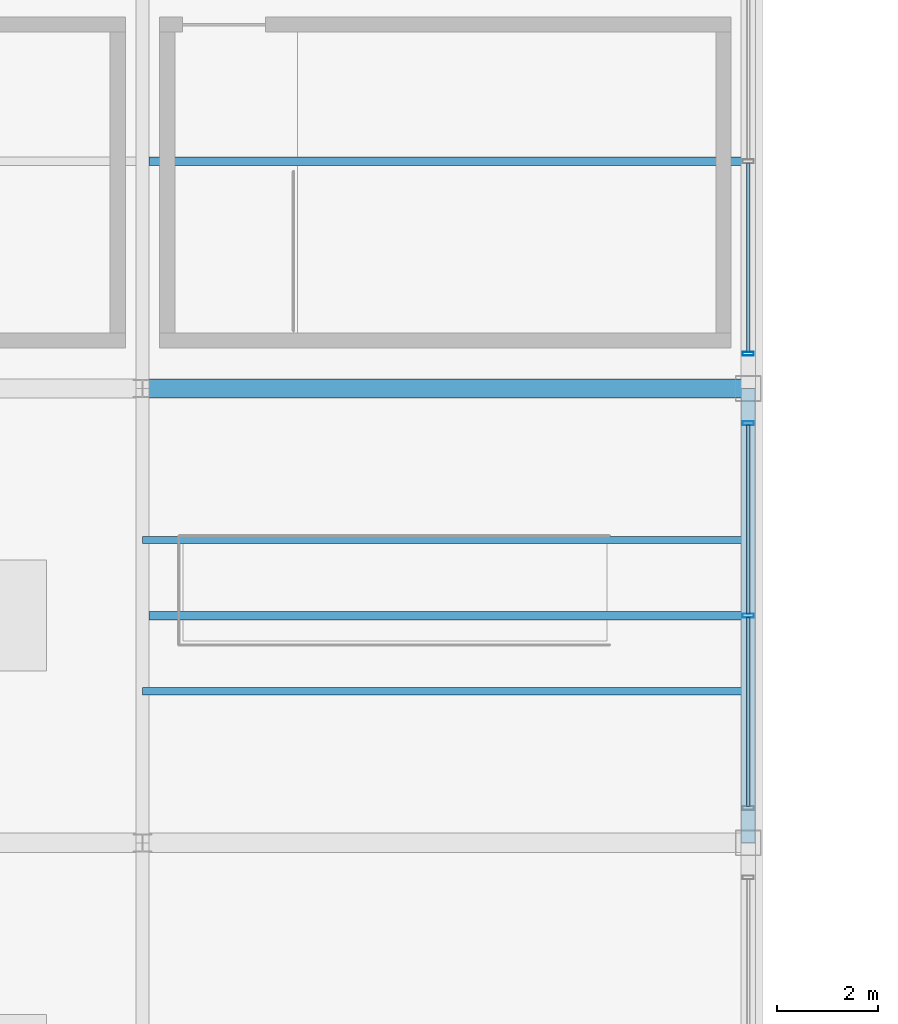
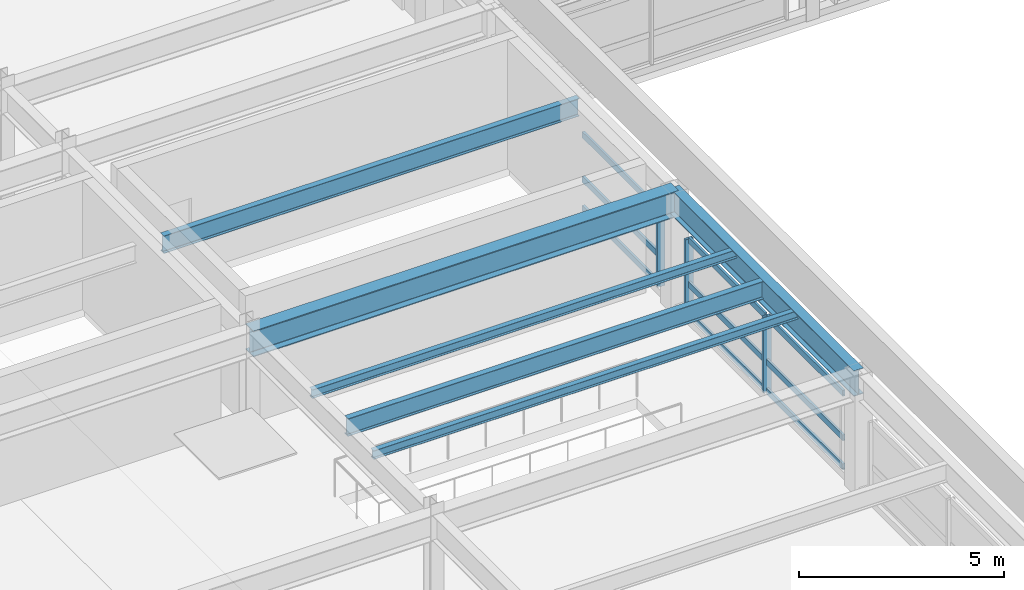
# One storey, part 67 of 108: 14 members, 4 beams, 2 elements without a shape of their own.
"""IFC4 building model written with IfcOpenShell, lengths in metres."""

from ifc_helpers import new_model, si_unit, direction, frame, origin, origin_2d, place, context, subcontext, project, spatial, hollow_rectangle, i_section, extrude, material, material_profile, profile_set, type_object, element, aggregate, save


model = new_model("IFC4")

# Units and contexts
model_context = context("Model", 3, precision=1e-05, world=origin(), true_north=direction((0.0, 1.0)))
body_context = subcontext(model_context, "Body", "Model", "MODEL_VIEW")
ifc_project = project(units=[si_unit("LENGTHUNIT", "METRE"), si_unit("AREAUNIT", "SQUARE_METRE"), si_unit("VOLUMEUNIT", "CUBIC_METRE"), si_unit("PLANEANGLEUNIT", "RADIAN"), si_unit("MASSUNIT", "GRAM", prefix="KILO")], contexts=[model_context])

# Site, building, storey
site_placement = place(None, origin())
site = spatial("IfcSite", under=ifc_project, at=site_placement, CompositionType="ELEMENT")
building_placement = place(site_placement, origin())
building = spatial("IfcBuilding", under=site, at=building_placement, Name="Kaldorvane Square Convention Centre", CompositionType="ELEMENT")
storey_placement = place(building_placement, frame((0.0, 0.0, 23.399993896484375)))
storey = spatial("IfcBuildingStorey", under=building, at=storey_placement, Name="L04", CompositionType="ELEMENT", Elevation=23.399993896484375)

# Beams
ifc_material_1 = material(Name="Steel ASTM A992 Gr. 50", Category="steel")
ifc_material_profile_1 = material_profile(ifc_material_1, i_section(OverallWidth=0.2666015625, OverallDepth=0.762298583984375, WebThickness=0.014404296875, FlangeThickness=0.0216064453125, FilletRadius=0.0164947509765625, at=origin_2d()), Name="W30X116")
ifc_profile_set_1 = profile_set([ifc_material_profile_1], Name="Steel ASTM A992 Gr. 50")
beam_type_1 = type_object("IfcBeamType", Name="BM-GR-W30X116", PredefinedType="BEAM", material=ifc_profile_set_1)
beam_1_placement = place(storey_placement, frame((138.0, 63.0, 3.144805908203125), z_axis=(0.0, 1.0, 0.0), x_axis=(-1.0, 0.0, 0.0)))
element("IfcBeam", 1, at=beam_1_placement, inside=storey, type_object=beam_type_1, Name="Transverse Girder (L04)", PredefinedType="BEAM", context=body_context, shape_type="SweptSolid", body=[
    extrude(i_section(OverallWidth=0.2666015625, OverallDepth=0.762298583984375, WebThickness=0.014404296875, FlangeThickness=0.0216064453125, FilletRadius=0.0164947509765625, at=origin_2d()), origin(), (0.0, 0.0, 1.0), 9.0),
])
ifc_material_profile_2 = material_profile(ifc_material_1, i_section(OverallWidth=0.380706787109375, OverallDepth=0.773193359375, WebThickness=0.0166015625, FlangeThickness=0.027099609375, FilletRadius=0.0164947509765625, at=origin_2d()), Name="W30X173")
ifc_profile_set_2 = profile_set([ifc_material_profile_2], Name="Steel ASTM A992 Gr. 50")
beam_type_2 = type_object("IfcBeamType", Name="BM-GR-W30X173", PredefinedType="BEAM", material=ifc_profile_set_2)
beam_2_placement = place(storey_placement, frame((126.0, 72.0, 3.139404296875), z_axis=(1.0, 0.0, 0.0), x_axis=(0.0, 1.0, 0.0)))
element("IfcBeam", 2, at=beam_2_placement, inside=storey, type_object=beam_type_2, Name="Primary Girder (L04)", PredefinedType="BEAM", context=body_context, shape_type="SweptSolid", body=[
    extrude(i_section(OverallWidth=0.380706787109375, OverallDepth=0.773193359375, WebThickness=0.0166015625, FlangeThickness=0.027099609375, FilletRadius=0.0164947509765625, at=origin_2d()), origin(), (0.0, 0.0, 1.0), 12.0),
])
ifc_material_profile_3 = material_profile(ifc_material_1, i_section(OverallWidth=0.1658935546875, OverallDepth=0.5290985107421875, WebThickness=0.00970458984375, FlangeThickness=0.0135955810546875, FilletRadius=0.0126953125, at=origin_2d()), Name="W21X50")
ifc_profile_set_3 = profile_set([ifc_material_profile_3], Name="Steel ASTM A992 Gr. 50")
beam_type_3 = type_object("IfcBeamType", Name="BM-JS-W21X50", PredefinedType="JOIST", material=ifc_profile_set_3)
for number, where, z_axis, x_axis, name in (
    (3, (126.13330078125, 67.5, 3.26141357421875), (1.0, 0.0, 0.0), (0.0, 1.0, 0.0), "Secondary Floor Joist (L04)"),
    (4, (126.13330078125, 76.5, 3.26141357421875), (1.0, 0.0, 0.0), (0.0, 1.0, 0.0), "Secondary Floor Joist (L04)"),
):
    element("IfcBeam", number, at=place(storey_placement, frame(where, z_axis=z_axis, x_axis=x_axis)), inside=storey, type_object=beam_type_3, Name=name, PredefinedType="JOIST", context=body_context, shape_type="SweptSolid", body=[
        extrude(i_section(OverallWidth=0.1658935546875, OverallDepth=0.5290985107421875, WebThickness=0.00970458984375, FlangeThickness=0.0135955810546875, FilletRadius=0.0126953125, at=origin_2d()), origin(), (0.0, 0.0, 1.0), 11.7333984375),
    ])

# Curtain wall, members
ifc_material_2 = material(Name="Anodized Aluminum and Low-E Insulated Glazing", Category="aluminium")
curtain_wall_type = type_object("IfcCurtainWallType", Name="CW-PTS-FC-42", PredefinedType="USERDEFINED", material=ifc_material_2)
curtain_wall_1_placement = place(storey_placement, origin())
curtain_wall_1 = element("IfcCurtainWall", 5, at=curtain_wall_1_placement, inside=storey, type_object=curtain_wall_type, Name="Curtain Wall CW-09 (L04)", ObjectType="POINT SUPPORTED GLAZING", PredefinedType="USERDEFINED")
ifc_material_profile_4 = material_profile(ifc_material_2, hollow_rectangle(XDim=0.0749969482421875, YDim=0.220001220703125, WallThickness=0.003997802734375, at=origin_2d()), Name="CWM-220X75")
ifc_profile_set_4 = profile_set([ifc_material_profile_4], Name="Anodized Aluminum and Low-E Insulated Glazing")
member_type_1 = type_object("IfcMemberType", Name="CW-MUL-220", PredefinedType="MULLION", material=ifc_profile_set_4)
member_1_placement = place(storey_placement, frame((138.0, 67.5, 0.1500091552734375), z_axis=(0.0, 0.0, 1.0), x_axis=(0.0, 1.0, 0.0)))
member_1 = element("IfcMember", 6, at=member_1_placement, type_object=member_type_1, Name="CW-09 mullion 2", PredefinedType="MULLION", context=body_context, shape_type="SweptSolid", body=[
    extrude(hollow_rectangle(XDim=0.0749969482421875, YDim=0.220001220703125, WallThickness=0.003997802734375, at=origin_2d()), origin(), (0.0, 0.0, 1.0), 2.2599945068359375),
])
member_2_placement = place(storey_placement, frame((138.0, 71.3125, 0.1500091552734375), z_axis=(0.0, 0.0, 1.0), x_axis=(0.0, 1.0, 0.0)))
member_2 = element("IfcMember", 7, at=member_2_placement, type_object=member_type_1, Name="CW-09 mullion 3", PredefinedType="MULLION", context=body_context, shape_type="SweptSolid", body=[
    extrude(hollow_rectangle(XDim=0.0749969482421875, YDim=0.220001220703125, WallThickness=0.003997802734375, at=origin_2d()), origin(), (0.0, 0.0, 1.0), 2.2599945068359375),
])

# Curtain wall, member
curtain_wall_2_placement = place(storey_placement, origin())
curtain_wall_2 = element("IfcCurtainWall", 8, at=curtain_wall_2_placement, inside=storey, type_object=curtain_wall_type, Name="Curtain Wall CW-09 (L04)", ObjectType="POINT SUPPORTED GLAZING", PredefinedType="USERDEFINED")
member_3_placement = place(storey_placement, frame((138.0, 72.6875, 0.1500091552734375), z_axis=(0.0, 0.0, 1.0), x_axis=(0.0, 1.0, 0.0)))
member_3 = element("IfcMember", 9, at=member_3_placement, type_object=member_type_1, Name="CW-09 mullion 1", PredefinedType="MULLION", context=body_context, shape_type="SweptSolid", body=[
    extrude(hollow_rectangle(XDim=0.0749969482421875, YDim=0.220001220703125, WallThickness=0.003997802734375, at=origin_2d()), origin(), (0.0, 0.0, 1.0), 2.2599945068359375),
])

# Member
ifc_material_profile_5 = material_profile(ifc_material_2, hollow_rectangle(XDim=0.06500244140625, YDim=0.17999267578125, WallThickness=0.0034942626953125, at=origin_2d()), Name="CWT-180X65")
ifc_profile_set_5 = profile_set([ifc_material_profile_5], Name="Anodized Aluminum and Low-E Insulated Glazing")
member_type_2 = type_object("IfcMemberType", Name="CW-TRN-180", PredefinedType="USERDEFINED", material=ifc_profile_set_5)
member_4_placement = place(storey_placement, frame((138.0, 63.725006103515625, 0.1825103759765625), z_axis=(0.0, 1.0, 0.0), x_axis=(-1.0, 0.0, 0.0)))
member_4 = element("IfcMember", 10, at=member_4_placement, type_object=member_type_2, Name="CW-09 transom 1.1", ObjectType="TRANSOM", PredefinedType="USERDEFINED", context=body_context, shape_type="SweptSolid", body=[
    extrude(hollow_rectangle(XDim=0.06500244140625, YDim=0.17999267578125, WallThickness=0.0034942626953125, at=origin_2d()), origin(), (0.0, 0.0, 1.0), 3.73748779296875),
])

member_5_placement = place(storey_placement, frame((138.0, 63.725006103515625, 1.0500030517578125), z_axis=(0.0, 1.0, 0.0), x_axis=(-1.0, 0.0, 0.0)))
member_5 = element("IfcMember", 11, at=member_5_placement, type_object=member_type_2, Name="CW-09 transom 1.2", ObjectType="TRANSOM", PredefinedType="USERDEFINED", context=body_context, shape_type="SweptSolid", body=[
    extrude(hollow_rectangle(XDim=0.06500244140625, YDim=0.17999267578125, WallThickness=0.0034942626953125, at=origin_2d()), origin(), (0.0, 0.0, 1.0), 3.73748779296875),
])

member_6_placement = place(storey_placement, frame((138.0, 63.725006103515625, 2.37750244140625), z_axis=(0.0, 1.0, 0.0), x_axis=(-1.0, 0.0, 0.0)))
member_6 = element("IfcMember", 12, at=member_6_placement, type_object=member_type_2, Name="CW-09 transom 1.3", ObjectType="TRANSOM", PredefinedType="USERDEFINED", context=body_context, shape_type="SweptSolid", body=[
    extrude(hollow_rectangle(XDim=0.06500244140625, YDim=0.17999267578125, WallThickness=0.0034942626953125, at=origin_2d()), origin(), (0.0, 0.0, 1.0), 3.73748779296875),
])

member_7_placement = place(storey_placement, frame((138.0, 67.53750610351562, 0.1825103759765625), z_axis=(0.0, 1.0, 0.0), x_axis=(-1.0, 0.0, 0.0)))
member_7 = element("IfcMember", 13, at=member_7_placement, type_object=member_type_2, Name="CW-09 transom 2.1", ObjectType="TRANSOM", PredefinedType="USERDEFINED", context=body_context, shape_type="SweptSolid", body=[
    extrude(hollow_rectangle(XDim=0.06500244140625, YDim=0.17999267578125, WallThickness=0.0034942626953125, at=origin_2d()), origin(), (0.0, 0.0, 1.0), 3.73748779296875),
])

member_8_placement = place(storey_placement, frame((138.0, 67.53750610351562, 1.0500030517578125), z_axis=(0.0, 1.0, 0.0), x_axis=(-1.0, 0.0, 0.0)))
member_8 = element("IfcMember", 14, at=member_8_placement, type_object=member_type_2, Name="CW-09 transom 2.2", ObjectType="TRANSOM", PredefinedType="USERDEFINED", context=body_context, shape_type="SweptSolid", body=[
    extrude(hollow_rectangle(XDim=0.06500244140625, YDim=0.17999267578125, WallThickness=0.0034942626953125, at=origin_2d()), origin(), (0.0, 0.0, 1.0), 3.73748779296875),
])

member_9_placement = place(storey_placement, frame((138.0, 67.53750610351562, 2.37750244140625), z_axis=(0.0, 1.0, 0.0), x_axis=(-1.0, 0.0, 0.0)))
member_9 = element("IfcMember", 15, at=member_9_placement, type_object=member_type_2, Name="CW-09 transom 2.3", ObjectType="TRANSOM", PredefinedType="USERDEFINED", context=body_context, shape_type="SweptSolid", body=[
    extrude(hollow_rectangle(XDim=0.06500244140625, YDim=0.17999267578125, WallThickness=0.0034942626953125, at=origin_2d()), origin(), (0.0, 0.0, 1.0), 3.73748779296875),
])

aggregate(curtain_wall_1, [member_1, member_2, member_4, member_5, member_6, member_7, member_8, member_9])

member_10_placement = place(storey_placement, frame((138.0, 72.72500610351562, 0.1825103759765625), z_axis=(0.0, 1.0, 0.0), x_axis=(-1.0, 0.0, 0.0)))
member_10 = element("IfcMember", 16, at=member_10_placement, type_object=member_type_2, Name="CW-09 transom 1.1", ObjectType="TRANSOM", PredefinedType="USERDEFINED", context=body_context, shape_type="SweptSolid", body=[
    extrude(hollow_rectangle(XDim=0.06500244140625, YDim=0.17999267578125, WallThickness=0.0034942626953125, at=origin_2d()), origin(), (0.0, 0.0, 1.0), 3.73748779296875),
])

member_11_placement = place(storey_placement, frame((138.0, 72.72500610351562, 1.0500030517578125), z_axis=(0.0, 1.0, 0.0), x_axis=(-1.0, 0.0, 0.0)))
member_11 = element("IfcMember", 17, at=member_11_placement, type_object=member_type_2, Name="CW-09 transom 1.2", ObjectType="TRANSOM", PredefinedType="USERDEFINED", context=body_context, shape_type="SweptSolid", body=[
    extrude(hollow_rectangle(XDim=0.06500244140625, YDim=0.17999267578125, WallThickness=0.0034942626953125, at=origin_2d()), origin(), (0.0, 0.0, 1.0), 3.73748779296875),
])

member_12_placement = place(storey_placement, frame((138.0, 72.72500610351562, 2.37750244140625), z_axis=(0.0, 1.0, 0.0), x_axis=(-1.0, 0.0, 0.0)))
member_12 = element("IfcMember", 18, at=member_12_placement, type_object=member_type_2, Name="CW-09 transom 1.3", ObjectType="TRANSOM", PredefinedType="USERDEFINED", context=body_context, shape_type="SweptSolid", body=[
    extrude(hollow_rectangle(XDim=0.06500244140625, YDim=0.17999267578125, WallThickness=0.0034942626953125, at=origin_2d()), origin(), (0.0, 0.0, 1.0), 3.73748779296875),
])

aggregate(curtain_wall_2, [member_3, member_10, member_11, member_12])

# Members
ifc_material_profile_6 = material_profile(ifc_material_1, i_section(OverallWidth=0.1461029052734375, OverallDepth=0.25830078125, WebThickness=0.006103515625, FlangeThickness=0.00909423828125, FilletRadius=0.007598876953125, at=origin_2d()), Name="W10X22")
ifc_profile_set_6 = profile_set([ifc_material_profile_6], Name="Steel ASTM A992 Gr. 50")
member_type_3 = type_object("IfcMemberType", Name="MB-PR-W10X22", PredefinedType="PURLIN", material=ifc_profile_set_6)
for number, where, z_axis, x_axis, name in (
    (19, (126.0, 66.0, 3.3889007568359375), (1.0, 0.0, 0.0), (0.0, 1.0, 0.0), "Skylight Roof Purlin"),
    (20, (126.0, 69.0, 3.3889007568359375), (1.0, 0.0, 0.0), (0.0, 1.0, 0.0), "Skylight Roof Purlin"),
):
    element("IfcMember", number, at=place(storey_placement, frame(where, z_axis=z_axis, x_axis=x_axis)), inside=storey, type_object=member_type_3, Name=name, PredefinedType="PURLIN", context=body_context, shape_type="SweptSolid", body=[
        extrude(i_section(OverallWidth=0.1461029052734375, OverallDepth=0.25830078125, WebThickness=0.006103515625, FlangeThickness=0.00909423828125, FilletRadius=0.007598876953125, at=origin_2d()), origin(), (0.0, 0.0, 1.0), 12.0),
    ])

save(model, "model.ifc")
